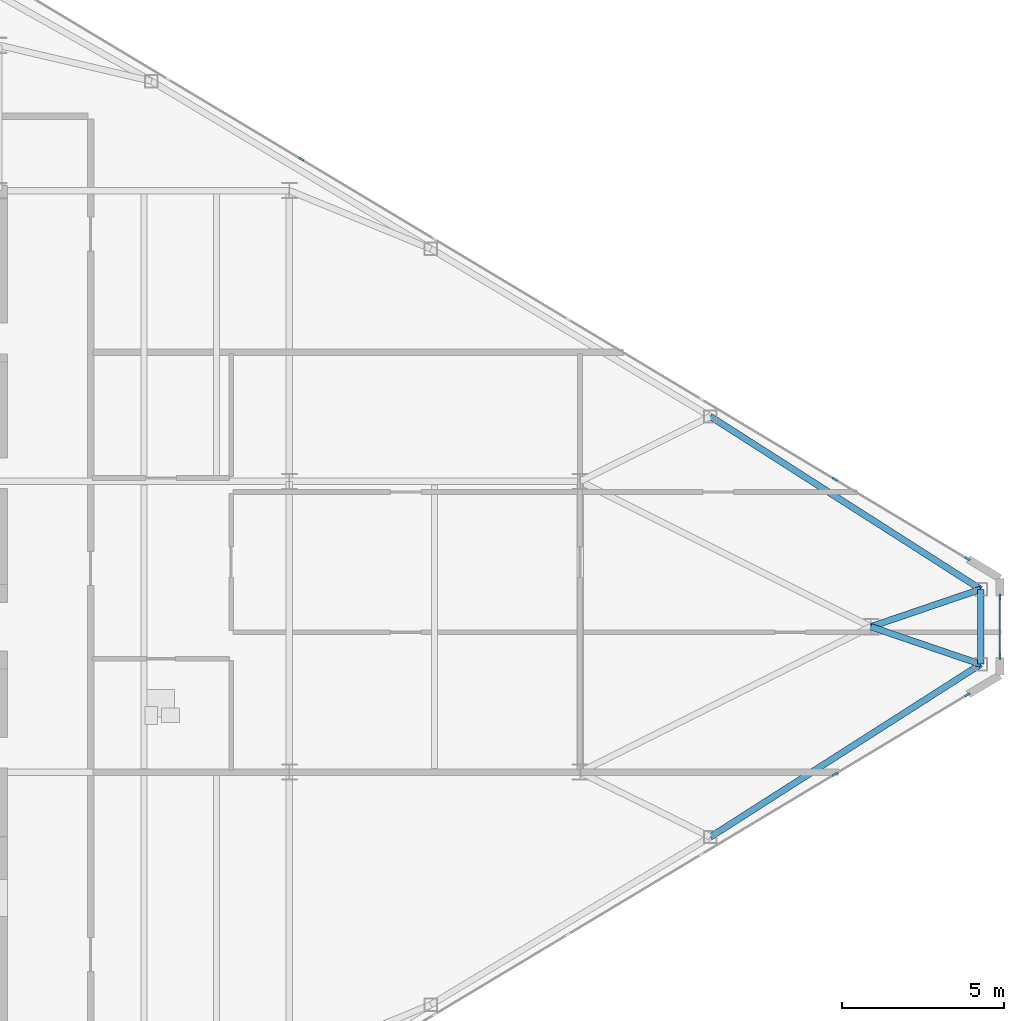
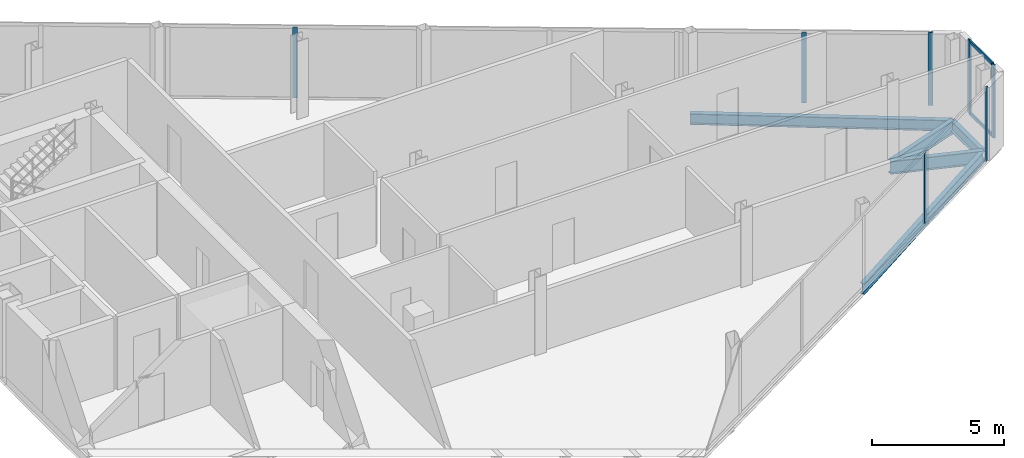
# One storey, part 17 of 25: 9 members, 5 beams, 3 elements without a shape of their own.
"""IFC4 building model written with IfcOpenShell, lengths in metres."""

from ifc_helpers import new_model, si_unit, direction, frame, origin, origin_2d, place, context, subcontext, project, spatial, rectangle, i_section, extrude, source, transform, mapped, material, layer, layer_set, material_profile, profile_set, type_object, type_shapes, element, aggregate, save


model = new_model("IFC4")

# Units and contexts
model_context = context("Model", 3, precision=1e-05, world=origin(), true_north=direction((0.0, 1.0)))
body_context = subcontext(model_context, "Body", "Model", "MODEL_VIEW")
ifc_project = project(units=[si_unit("LENGTHUNIT", "METRE"), si_unit("AREAUNIT", "SQUARE_METRE"), si_unit("VOLUMEUNIT", "CUBIC_METRE"), si_unit("PLANEANGLEUNIT", "RADIAN"), si_unit("MASSUNIT", "GRAM", prefix="KILO")], contexts=[model_context])

# Site, building, storey
site_placement = place(None, origin())
site = spatial("IfcSite", under=ifc_project, at=site_placement, CompositionType="ELEMENT")
building_placement = place(site_placement, origin())
building = spatial("IfcBuilding", under=site, at=building_placement, Name="Seokmaru Belvedere", CompositionType="ELEMENT")
storey_placement = place(building_placement, frame((0.0, 0.0, 203.10009765625)))
storey = spatial("IfcBuildingStorey", under=building, at=storey_placement, Name="L54", CompositionType="ELEMENT", Elevation=203.10009765625)

# Beams
ifc_material_1 = material(Name="Steel SM355 (355 MPa)", Category="steel")
ifc_material_profile_1 = material_profile(ifc_material_1, i_section(OverallWidth=0.199951171875, OverallDepth=0.5, WebThickness=0.010009765625, FlangeThickness=0.01611328125, at=origin_2d()), Name="H-500x200x10x16")
ifc_profile_set_1 = profile_set([ifc_material_profile_1], Name="Steel SM355 (355 MPa)")
beam_type_1 = type_object("IfcBeamType", Name="Perimeter Spandrel Beam H-500", PredefinedType="SPANDREL", material=ifc_profile_set_1)
shared_shape_1 = source(origin(), body_context, "Body", "SweptSolid", [
    extrude(i_section(OverallWidth=0.199951171875, OverallDepth=0.5, WebThickness=0.010009765625, FlangeThickness=0.01611328125, at=origin_2d()), origin(), (0.0, 0.0, 1.0), 9.932861328125),
])
for number, where, z_axis, x_axis, name in (
    (1, (58.530029296875, -6.5087890625, -0.47021484375), (0.842651960357, 0.538458609093, 0.0), (-0.538458609093, 0.842651960357, 0.0), "L54 E Faceted Flank Spandrel S-4"),
    (2, (58.530029296875, 6.5087890625, -0.47021484375), (0.842651960357, -0.538458609093, 0.0), (0.538458609093, 0.842651960357, 0.0), "L54 E Faceted Flank Spandrel N-4"),
):
    element("IfcBeam", number, at=place(storey_placement, frame(where, z_axis=z_axis, x_axis=x_axis)), inside=storey, type_object=beam_type_1, Name=name, PredefinedType="SPANDREL", context=body_context, shape_type="MappedRepresentation", body=[
        mapped(shared_shape_1, transform((0.0, 0.0, 0.0), scale=1.0)),
    ])
shared_shape_2 = source(origin(), body_context, "Body", "SweptSolid", [
    extrude(i_section(OverallWidth=0.199951171875, OverallDepth=0.5, WebThickness=0.010009765625, FlangeThickness=0.01611328125, at=origin_2d()), origin(), (0.0, 0.0, 1.0), 2.32080078125),
])
type_shapes(beam_type_1, [shared_shape_1, shared_shape_2])
beam_placement = place(storey_placement, frame((66.89990234375, -1.160400390625, -0.47021484375), z_axis=(0.0, 1.0, 0.0), x_axis=(-1.0, 0.0, 0.0)))
element("IfcBeam", 3, at=beam_placement, inside=storey, type_object=beam_type_1, Name="L54 E Faceted Apex Spandrel", PredefinedType="SPANDREL", context=body_context, shape_type="MappedRepresentation", body=[
    mapped(shared_shape_2, transform((0.0, 0.0, 0.0), scale=1.0)),
])
ifc_material_profile_2 = material_profile(ifc_material_1, i_section(OverallWidth=0.199951171875, OverallDepth=0.60009765625, WebThickness=0.010986328125, FlangeThickness=0.01708984375, at=origin_2d()), Name="H-600x200x11x17")
ifc_profile_set_2 = profile_set([ifc_material_profile_2], Name="Steel SM355 (355 MPa)")
beam_type_2 = type_object("IfcBeamType", Name="Primary Floor Girder H-600", PredefinedType="BEAM", material=ifc_profile_set_2)
shared_shape_3 = source(origin(), body_context, "Body", "SweptSolid", [
    extrude(i_section(OverallWidth=0.199951171875, OverallDepth=0.60009765625, WebThickness=0.010986328125, FlangeThickness=0.01708984375, at=origin_2d()), origin(), (0.0, 0.0, 1.0), 3.592529296875),
])
type_shapes(beam_type_2, [shared_shape_3])
for number, where, z_axis, x_axis, name in (
    (4, (66.89990234375, -1.160400390625, -0.52001953125), (-0.946395973048, 0.323008764893, 0.0), (-0.323008764893, -0.946395973048, 0.0), "L54 E Apex Radial Floor Girder 1"),
    (5, (66.89990234375, 1.160400390625, -0.52001953125), (-0.946395973048, -0.323008764893, 0.0), (0.323008764893, -0.946395973048, 0.0), "L54 E Apex Radial Floor Girder 2"),
):
    element("IfcBeam", number, at=place(storey_placement, frame(where, z_axis=z_axis, x_axis=x_axis)), inside=storey, type_object=beam_type_2, Name=name, PredefinedType="BEAM", context=body_context, shape_type="MappedRepresentation", body=[
        mapped(shared_shape_3, transform((0.0, 0.0, 0.0), scale=1.0)),
    ])

# Curtain wall, member
ifc_material_2 = material(Name="Bronze Triple Insulating Glass", Category="glass")
ifc_layer = layer(ifc_material_2, 0.179931640625)
ifc_layer_set = layer_set([ifc_layer], Name="Bronze Triple Insulating Glass")
curtain_wall_type = type_object("IfcCurtainWallType", Name="High-Rise Wind-Corner Curtain Wall System CW-5", PredefinedType="NOTDEFINED", material=ifc_layer_set)
curtain_wall_1_placement = place(storey_placement, origin())
curtain_wall_1 = element("IfcCurtainWall", 6, at=curtain_wall_1_placement, inside=storey, type_object=curtain_wall_type, Name="L54 Curtain Wall EF1", PredefinedType="NOTDEFINED")
ifc_material_3 = material(Name="Anodised Bronze Aluminium", Category="aluminium")
ifc_material_profile_3 = material_profile(ifc_material_3, rectangle(XDim=0.06494140625, YDim=0.179931640625, at=origin_2d()), Name="CW-M-65x180")
ifc_profile_set_3 = profile_set([ifc_material_profile_3], Name="Anodised Bronze Aluminium")
member_type_1 = type_object("IfcMemberType", Name="Bronze Unitised Mullion 65x180", PredefinedType="MULLION", material=ifc_profile_set_3)
shared_shape_4 = source(origin(), body_context, "Body", "SweptSolid", [
    extrude(rectangle(XDim=0.06494140625, YDim=0.179931640625, at=origin_2d()), origin(), (0.0, 0.0, 1.0), 3.3798828125),
])
member_1_placement = place(storey_placement, frame((66.486083984375, -2.1083984375, 0.0), z_axis=(0.0, 0.0, 1.0), x_axis=(-0.514494909364, 0.85749343335, 0.0)))
member_1 = element("IfcMember", 7, at=member_1_placement, type_object=member_type_1, Name="CW:L54:EF1 Mullion 9", PredefinedType="MULLION", context=body_context, shape_type="MappedRepresentation", body=[
    mapped(shared_shape_4, transform((0.0, 0.0, 0.0), scale=1.0)),
])

# Curtain wall, members
curtain_wall_2_placement = place(storey_placement, origin())
curtain_wall_2 = element("IfcCurtainWall", 8, at=curtain_wall_2_placement, inside=storey, type_object=curtain_wall_type, Name="L54 Curtain Wall EF2", PredefinedType="NOTDEFINED")
member_2_placement = place(storey_placement, frame((67.5, -0.91748046875, 0.0), z_axis=(0.0, 0.0, 1.0), x_axis=(-1.0, 0.0, 0.0)))
member_2 = element("IfcMember", 9, at=member_2_placement, type_object=member_type_1, Name="CW:L54:EF2 Mullion 1", PredefinedType="MULLION", context=body_context, shape_type="MappedRepresentation", body=[
    mapped(shared_shape_4, transform((0.0, 0.0, 0.0), scale=1.0)),
])
member_3_placement = place(storey_placement, frame((67.5, 0.91748046875, 0.0), z_axis=(0.0, 0.0, 1.0), x_axis=(-1.0, 0.0, 0.0)))
member_3 = element("IfcMember", 10, at=member_3_placement, type_object=member_type_1, Name="CW:L54:EF2 Mullion 2", PredefinedType="MULLION", context=body_context, shape_type="MappedRepresentation", body=[
    mapped(shared_shape_4, transform((0.0, 0.0, 0.0), scale=1.0)),
])

# Curtain wall, member
curtain_wall_3_placement = place(storey_placement, origin())
curtain_wall_3 = element("IfcCurtainWall", 11, at=curtain_wall_3_placement, inside=storey, type_object=curtain_wall_type, Name="L54 Curtain Wall EF3", PredefinedType="NOTDEFINED")
member_4_placement = place(storey_placement, frame((66.486083984375, 2.1083984375, 0.0), z_axis=(0.0, 0.0, 1.0), x_axis=(-0.514494909364, -0.85749343335, 0.0)))
member_4 = element("IfcMember", 12, at=member_4_placement, type_object=member_type_1, Name="CW:L54:EF3 Mullion 1", PredefinedType="MULLION", context=body_context, shape_type="MappedRepresentation", body=[
    mapped(shared_shape_4, transform((0.0, 0.0, 0.0), scale=1.0)),
])

# Member
shared_shape_5 = source(origin(), body_context, "Body", "SweptSolid", [
    extrude(rectangle(XDim=0.06494140625, YDim=0.179931640625, at=origin_2d()), origin(), (0.0, 0.0, 1.0), 3.25),
])
type_shapes(member_type_1, [shared_shape_4, shared_shape_5])
member_5_placement = place(storey_placement, frame((62.385498046875, -4.56884765625, 0.06494140625), z_axis=(0.0, 0.0, 1.0), x_axis=(-0.514494909364, 0.85749343335, 0.0)))
member_5 = element("IfcMember", 13, at=member_5_placement, type_object=member_type_1, Name="CW:L54:EF1 Mullion 8", PredefinedType="MULLION", context=body_context, shape_type="MappedRepresentation", body=[
    mapped(shared_shape_5, transform((0.0, 0.0, 0.0), scale=1.0)),
])

aggregate(curtain_wall_1, [member_5, member_1])

member_6_placement = place(storey_placement, frame((62.385498046875, 4.56884765625, 0.06494140625), z_axis=(0.0, 0.0, 1.0), x_axis=(-0.514494909364, -0.85749343335, 0.0)))
member_6 = element("IfcMember", 14, at=member_6_placement, type_object=member_type_1, Name="CW:L54:EF3 Mullion 2", PredefinedType="MULLION", context=body_context, shape_type="MappedRepresentation", body=[
    mapped(shared_shape_5, transform((0.0, 0.0, 0.0), scale=1.0)),
])

member_7_placement = place(storey_placement, frame((45.87158203125, 14.47705078125, 0.06494140625), z_axis=(0.0, 0.0, 1.0), x_axis=(-0.514494909364, -0.85749343335, 0.0)))
member_7 = element("IfcMember", 15, at=member_7_placement, type_object=member_type_1, Name="CW:L54:EF3 Mullion 6", PredefinedType="MULLION", context=body_context, shape_type="MappedRepresentation", body=[
    mapped(shared_shape_5, transform((0.0, 0.0, 0.0), scale=1.0)),
])

aggregate(curtain_wall_3, [member_4, member_6, member_7])

ifc_material_profile_4 = material_profile(ifc_material_3, rectangle(XDim=0.06494140625, YDim=0.14990234375, at=origin_2d()), Name="CW-T-65x150")
ifc_profile_set_4 = profile_set([ifc_material_profile_4], Name="Anodised Bronze Aluminium")
member_type_2 = type_object("IfcMemberType", Name="Bronze Unitised Transom 65x150", PredefinedType="USERDEFINED", material=ifc_profile_set_4)
shared_shape_6 = source(origin(), body_context, "Body", "SweptSolid", [
    extrude(rectangle(XDim=0.06494140625, YDim=0.14990234375, at=origin_2d()), origin(), (0.0, 0.0, 1.0), 1.77001953125),
])
type_shapes(member_type_2, [shared_shape_6])
member_8_placement = place(storey_placement, frame((67.5, -0.885009765625, 0.032470703125), z_axis=(0.0, 1.0, 0.0), x_axis=(-1.0, 0.0, 0.0)))
member_8 = element("IfcMember", 16, at=member_8_placement, type_object=member_type_2, Name="CW:L54:EF2 Continuous Transom 1", ObjectType="TRANSOM", PredefinedType="USERDEFINED", context=body_context, shape_type="MappedRepresentation", body=[
    mapped(shared_shape_6, transform((0.0, 0.0, 0.0), scale=1.0)),
])

member_9_placement = place(storey_placement, frame((67.5, -0.885009765625, 3.347412109375), z_axis=(0.0, 1.0, 0.0), x_axis=(-1.0, 0.0, 0.0)))
member_9 = element("IfcMember", 17, at=member_9_placement, type_object=member_type_2, Name="CW:L54:EF2 Continuous Transom 2", ObjectType="TRANSOM", PredefinedType="USERDEFINED", context=body_context, shape_type="MappedRepresentation", body=[
    mapped(shared_shape_6, transform((0.0, 0.0, 0.0), scale=1.0)),
])

aggregate(curtain_wall_2, [member_2, member_3, member_8, member_9])

save(model, "model.ifc")
